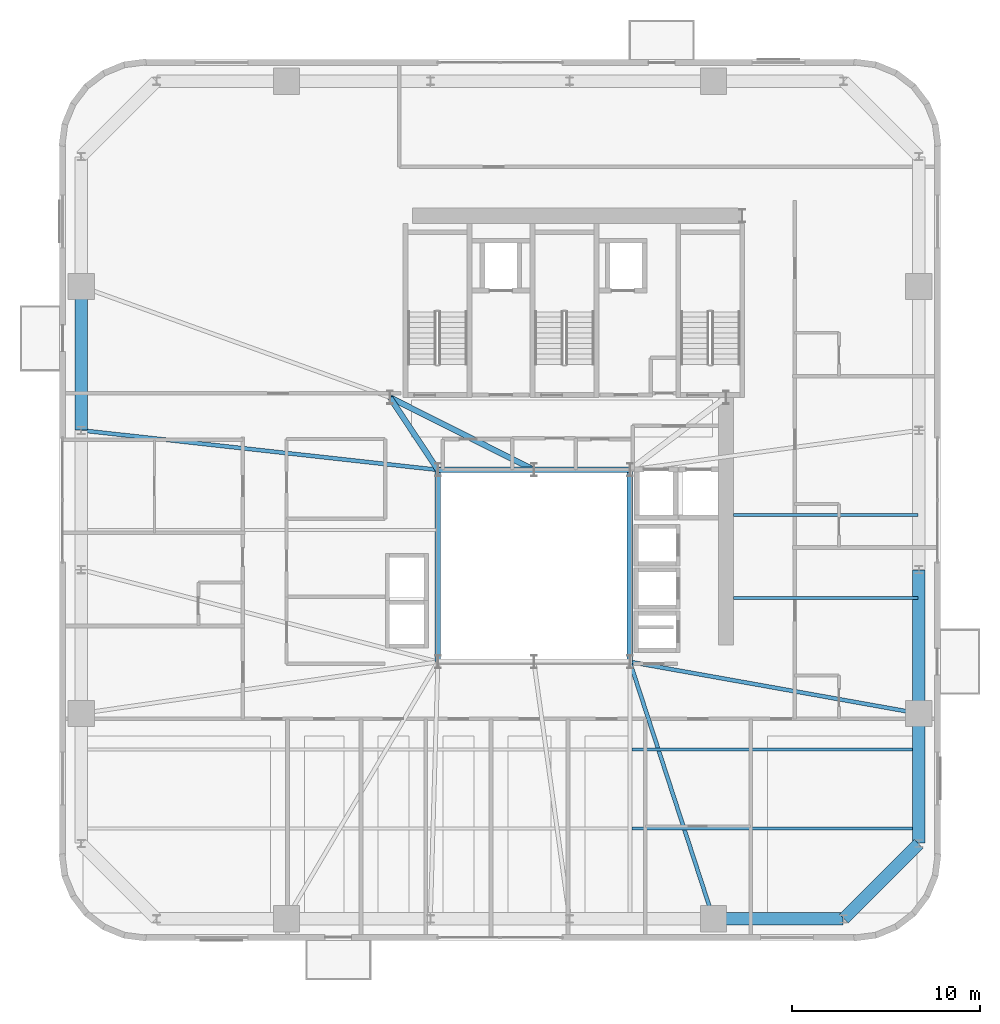
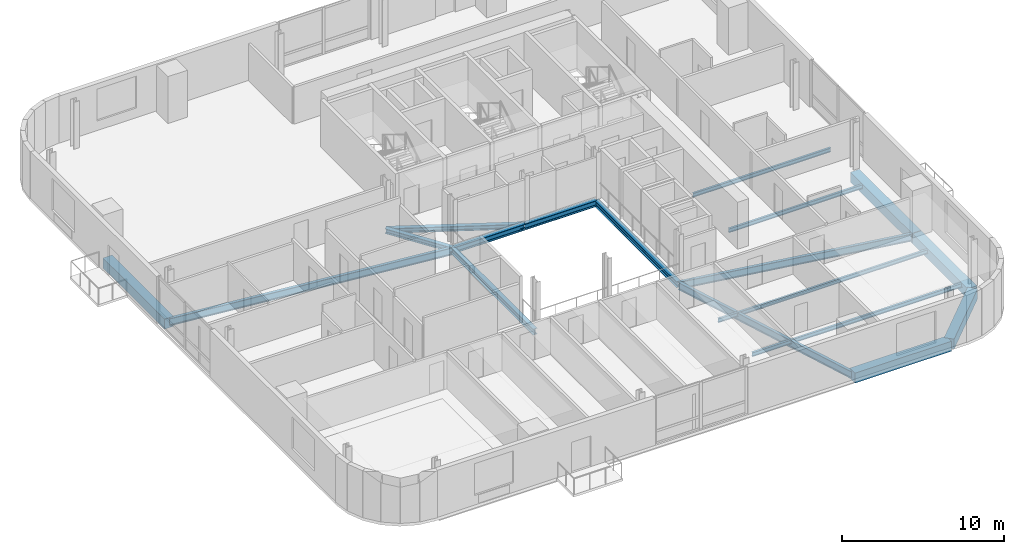
# One storey, part 4 of 17: 18 beams.
"""IFC4 building model written with IfcOpenShell, lengths in metres."""

from ifc_helpers import new_model, si_unit, direction, frame, origin, origin_2d, place, context, subcontext, project, spatial, rectangle, i_section, extrude, source, transform, mapped, material, material_profile, profile_set, type_object, element, save


model = new_model("IFC4")

# Units and contexts
model_context = context("Model", 3, precision=1e-05, world=origin(), true_north=direction((0.0, 1.0)))
body_context = subcontext(model_context, "Body", "Model", "MODEL_VIEW")
ifc_project = project(units=[si_unit("LENGTHUNIT", "METRE"), si_unit("AREAUNIT", "SQUARE_METRE"), si_unit("VOLUMEUNIT", "CUBIC_METRE"), si_unit("PLANEANGLEUNIT", "RADIAN"), si_unit("MASSUNIT", "GRAM", prefix="KILO")], contexts=[model_context])

# Site, building, storey
site_placement = place(None, origin())
site = spatial("IfcSite", under=ifc_project, at=site_placement, CompositionType="ELEMENT")
building_placement = place(site_placement, origin())
building = spatial("IfcBuilding", under=site, at=building_placement, Name="Vardaveli Station Tower", CompositionType="ELEMENT")
storey_placement = place(building_placement, frame((0.0, 0.0, 218.550048828125)))
storey = spatial("IfcBuildingStorey", under=building, at=storey_placement, Name="L56", CompositionType="ELEMENT", Elevation=218.550048828125)

# Beams
ifc_material_1 = material(Name="Structural steel S355J2", Category="steel")
ifc_material_profile_1 = material_profile(ifc_material_1, i_section(OverallWidth=0.300048828125, OverallDepth=0.449951171875, WebThickness=0.013916015625, FlangeThickness=0.02587890625, FilletRadius=0.027099609375, at=origin_2d()), Name="HEB 450")
ifc_profile_set_1 = profile_set([ifc_material_profile_1], Name="Structural steel S355J2")
beam_type_1 = type_object("IfcBeamType", Name="BM-HEB450", PredefinedType="BEAM", material=ifc_profile_set_1)
shared_shape_1 = source(origin(), body_context, "Body", "SweptSolid", [
    extrude(i_section(OverallWidth=0.300048828125, OverallDepth=0.449951171875, WebThickness=0.013916015625, FlangeThickness=0.02587890625, FilletRadius=0.027099609375, at=origin_2d()), origin(), (0.0, 0.0, 1.0), 5.06005859375),
])
beam_1_placement = place(storey_placement, frame((36.280029296875, 26.800048828125, -0.445068359375), z_axis=(-1.0, 0.0, 0.0), x_axis=(0.0, -1.0, 0.0)))
element("IfcBeam", 1, at=beam_1_placement, inside=storey, type_object=beam_type_1, Name="ABM-L56-05", PredefinedType="BEAM", context=body_context, shape_type="MappedRepresentation", body=[
    mapped(shared_shape_1, transform((0.0, 0.0, 0.0), scale=1.0)),
])
shared_shape_2 = source(origin(), body_context, "Body", "SweptSolid", [
    extrude(i_section(OverallWidth=0.300048828125, OverallDepth=0.449951171875, WebThickness=0.013916015625, FlangeThickness=0.02587890625, FilletRadius=0.027099609375, at=origin_2d()), origin(), (0.0, 0.0, 1.0), 5.059814453125),
])
beam_2_placement = place(storey_placement, frame((41.3798828125, 26.800048828125, -0.445068359375), z_axis=(-1.0, 0.0, 0.0), x_axis=(0.0, -1.0, 0.0)))
element("IfcBeam", 2, at=beam_2_placement, inside=storey, type_object=beam_type_1, Name="ABM-L56-04", PredefinedType="BEAM", context=body_context, shape_type="MappedRepresentation", body=[
    mapped(shared_shape_2, transform((0.0, 0.0, 0.0), scale=1.0)),
])
shared_shape_3 = source(origin(), body_context, "Body", "SweptSolid", [
    extrude(i_section(OverallWidth=0.300048828125, OverallDepth=0.449951171875, WebThickness=0.013916015625, FlangeThickness=0.02587890625, FilletRadius=0.027099609375, at=origin_2d()), origin(), (0.0, 0.0, 1.0), 10.159912109375),
])
for number, where, z_axis, x_axis, name in (
    (3, (41.39990234375, 16.6201171875, -0.445068359375), (0.0, 1.0, 0.0), (-1.0, 0.0, 0.0), "ABM-L56-03"),
    (4, (31.199951171875, 26.780029296875, -0.445068359375), (0.0, -1.0, 0.0), (1.0, 0.0, 0.0), "ABM-L56-06"),
):
    element("IfcBeam", number, at=place(storey_placement, frame(where, z_axis=z_axis, x_axis=x_axis)), inside=storey, type_object=beam_type_1, Name=name, PredefinedType="BEAM", context=body_context, shape_type="MappedRepresentation", body=[
        mapped(shared_shape_3, transform((0.0, 0.0, 0.0), scale=1.0)),
    ])
ifc_material_profile_2 = material_profile(ifc_material_1, i_section(OverallWidth=0.300048828125, OverallDepth=0.360107421875, WebThickness=0.012451171875, FlangeThickness=0.0224609375, FilletRadius=0.027099609375, at=origin_2d()), Name="HEB 360")
ifc_profile_set_2 = profile_set([ifc_material_profile_2], Name="Structural steel S355J2")
beam_type_2 = type_object("IfcBeamType", Name="BM-HEB360", PredefinedType="BEAM", material=ifc_profile_set_2)
shared_shape_4 = source(origin(), body_context, "Body", "SweptSolid", [
    extrude(i_section(OverallWidth=0.300048828125, OverallDepth=0.360107421875, WebThickness=0.012451171875, FlangeThickness=0.0224609375, FilletRadius=0.027099609375, at=origin_2d()), origin(), (0.0, 0.0, 1.0), 4.577880859375),
])
beam_3_placement = place(storey_placement, frame((31.18896484375, 26.816650390625, -0.400146484375), z_axis=(-0.55218702139, 0.833720272879, 0.0), x_axis=(-0.833720272879, -0.55218702139, 0.0)))
element("IfcBeam", 5, at=beam_3_placement, inside=storey, type_object=beam_type_2, Name="CBM-L56-01", PredefinedType="BEAM", context=body_context, shape_type="MappedRepresentation", body=[
    mapped(shared_shape_4, transform((0.0, 0.0, 0.0), scale=1.0)),
])
shared_shape_5 = source(origin(), body_context, "Body", "SweptSolid", [
    extrude(i_section(OverallWidth=0.300048828125, OverallDepth=0.360107421875, WebThickness=0.012451171875, FlangeThickness=0.0224609375, FilletRadius=0.027099609375, at=origin_2d()), origin(), (0.0, 0.0, 1.0), 8.524169921875),
])
beam_4_placement = place(storey_placement, frame((28.66796875, 30.64111328125, -0.400146484375), z_axis=(0.893255584708, -0.449549174605, 0.0), x_axis=(0.449549174605, 0.893255584708, 0.0)))
element("IfcBeam", 6, at=beam_4_placement, inside=storey, type_object=beam_type_2, Name="CBM-L56-03", PredefinedType="BEAM", context=body_context, shape_type="MappedRepresentation", body=[
    mapped(shared_shape_5, transform((0.0, 0.0, 0.0), scale=1.0)),
])
ifc_material_2 = material(Name="Precast concrete C45/55", Category="concrete")
ifc_material_profile_3 = material_profile(ifc_material_2, rectangle(XDim=0.64990234375, YDim=0.75, at=origin_2d()), Name="LPB 650x750")
ifc_profile_set_3 = profile_set([ifc_material_profile_3], Name="Precast concrete C45/55")
beam_type_3 = type_object("IfcBeamType", Name="BM-LPB-750", PredefinedType="BEAM", material=ifc_profile_set_3)
shared_shape_6 = source(origin(), body_context, "Body", "SweptSolid", [
    extrude(rectangle(XDim=0.64990234375, YDim=0.75, at=origin_2d()), origin(), (0.0, 0.0, 1.0), 7.60009765625),
])
for number, where, z_axis, x_axis, name in (
    (7, (56.75, 13.8798828125, -0.594970703125), (0.0, 1.0, 0.0), (-1.0, 0.0, 0.0), "RBM-L56-07"),
    (8, (12.25, 36.52001953125, -0.594970703125), (0.0, -1.0, 0.0), (1.0, 0.0, 0.0), "RBM-L56-19"),
):
    element("IfcBeam", number, at=place(storey_placement, frame(where, z_axis=z_axis, x_axis=x_axis)), inside=storey, type_object=beam_type_3, Name=name, PredefinedType="BEAM", context=body_context, shape_type="MappedRepresentation", body=[
        mapped(shared_shape_6, transform((0.0, 0.0, 0.0), scale=1.0)),
    ])
shared_shape_7 = source(origin(), body_context, "Body", "SweptSolid", [
    extrude(rectangle(XDim=0.64990234375, YDim=0.75, at=origin_2d()), origin(), (0.0, 0.0, 1.0), 6.869873046875),
])
beam_5_placement = place(storey_placement, frame((45.860107421875, 2.949951171875, -0.594970703125), z_axis=(1.0, 0.0, 0.0), x_axis=(0.0, 1.0, 0.0)))
element("IfcBeam", 9, at=beam_5_placement, inside=storey, type_object=beam_type_3, Name="RBM-L56-04", PredefinedType="BEAM", context=body_context, shape_type="MappedRepresentation", body=[
    mapped(shared_shape_7, transform((0.0, 0.0, 0.0), scale=1.0)),
])
shared_shape_8 = source(origin(), body_context, "Body", "SweptSolid", [
    extrude(rectangle(XDim=0.64990234375, YDim=0.75, at=origin_2d()), origin(), (0.0, 0.0, 1.0), 5.61669921875),
])
beam_6_placement = place(storey_placement, frame((52.76416015625, 2.964111328125, -0.594970703125), z_axis=(0.707106781187, 0.707106781187, 0.0), x_axis=(-0.707106781187, 0.707106781187, 0.0)))
element("IfcBeam", 10, at=beam_6_placement, inside=storey, type_object=beam_type_3, Name="RBM-L56-05", PredefinedType="BEAM", context=body_context, shape_type="MappedRepresentation", body=[
    mapped(shared_shape_8, transform((0.0, 0.0, 0.0), scale=1.0)),
])
shared_shape_9 = source(origin(), body_context, "Body", "SweptSolid", [
    extrude(rectangle(XDim=0.64990234375, YDim=0.75, at=origin_2d()), origin(), (0.0, 0.0, 1.0), 6.8701171875),
])
beam_7_placement = place(storey_placement, frame((56.75, 6.969970703125, -0.594970703125), z_axis=(0.0, 1.0, 0.0), x_axis=(-1.0, 0.0, 0.0)))
element("IfcBeam", 11, at=beam_7_placement, inside=storey, type_object=beam_type_3, Name="RBM-L56-06", PredefinedType="BEAM", context=body_context, shape_type="MappedRepresentation", body=[
    mapped(shared_shape_9, transform((0.0, 0.0, 0.0), scale=1.0)),
])
ifc_material_profile_4 = material_profile(ifc_material_1, i_section(OverallWidth=0.2099609375, OverallDepth=0.550048828125, WebThickness=0.010986328125, FlangeThickness=0.01708984375, FilletRadius=0.02392578125, at=origin_2d()), Name="IPE 550")
ifc_profile_set_4 = profile_set([ifc_material_profile_4], Name="Structural steel S355J2")
beam_type_4 = type_object("IfcBeamType", Name="BM-IPE550", PredefinedType="BEAM", material=ifc_profile_set_4)
shared_shape_10 = source(origin(), body_context, "Body", "SweptSolid", [
    extrude(i_section(OverallWidth=0.2099609375, OverallDepth=0.550048828125, WebThickness=0.010986328125, FlangeThickness=0.01708984375, FilletRadius=0.02392578125, at=origin_2d()), origin(), (0.0, 0.0, 1.0), 14.31396484375),
])
beam_8_placement = place(storey_placement, frame((45.833740234375, 2.968994140625, -0.4951171875), z_axis=(-0.309311678023, 0.950960717295, 0.0), x_axis=(-0.950960717295, -0.309311678023, 0.0)))
element("IfcBeam", 12, at=beam_8_placement, inside=storey, type_object=beam_type_4, Name="GBM-L56-04", PredefinedType="BEAM", context=body_context, shape_type="MappedRepresentation", body=[
    mapped(shared_shape_10, transform((0.0, 0.0, 0.0), scale=1.0)),
])
shared_shape_11 = source(origin(), body_context, "Body", "SweptSolid", [
    extrude(i_section(OverallWidth=0.2099609375, OverallDepth=0.550048828125, WebThickness=0.010986328125, FlangeThickness=0.01708984375, FilletRadius=0.02392578125, at=origin_2d()), origin(), (0.0, 0.0, 1.0), 15.552490234375),
])
beam_9_placement = place(storey_placement, frame((56.730224609375, 13.863525390625, -0.4951171875), z_axis=(-0.984439991578, 0.1757210943, 0.0), x_axis=(-0.1757210943, -0.984439991578, 0.0)))
element("IfcBeam", 13, at=beam_9_placement, inside=storey, type_object=beam_type_4, Name="GBM-L56-05", PredefinedType="BEAM", context=body_context, shape_type="MappedRepresentation", body=[
    mapped(shared_shape_11, transform((0.0, 0.0, 0.0), scale=1.0)),
])
shared_shape_12 = source(origin(), body_context, "Body", "SweptSolid", [
    extrude(i_section(OverallWidth=0.2099609375, OverallDepth=0.550048828125, WebThickness=0.010986328125, FlangeThickness=0.01708984375, FilletRadius=0.02392578125, at=origin_2d()), origin(), (0.0, 0.0, 1.0), 19.026123046875),
])
beam_10_placement = place(storey_placement, frame((12.269775390625, 28.897705078125, -0.4951171875), z_axis=(0.993916552721, -0.110135762707, 0.0), x_axis=(0.110135762707, 0.993916552721, 0.0)))
element("IfcBeam", 14, at=beam_10_placement, inside=storey, type_object=beam_type_4, Name="GBM-L56-08", PredefinedType="BEAM", context=body_context, shape_type="MappedRepresentation", body=[
    mapped(shared_shape_12, transform((0.0, 0.0, 0.0), scale=1.0)),
])
ifc_material_profile_5 = material_profile(ifc_material_1, i_section(OverallWidth=0.14990234375, OverallDepth=0.300048828125, WebThickness=0.007080078125, FlangeThickness=0.0107421875, FilletRadius=0.014892578125, at=origin_2d()), Name="IPE 300")
ifc_profile_set_5 = profile_set([ifc_material_profile_5], Name="Structural steel S355J2")
beam_type_5 = type_object("IfcBeamType", Name="BM-IPE300", PredefinedType="JOIST", material=ifc_profile_set_5)
shared_shape_13 = source(origin(), body_context, "Body", "SweptSolid", [
    extrude(i_section(OverallWidth=0.14990234375, OverallDepth=0.300048828125, WebThickness=0.007080078125, FlangeThickness=0.0107421875, FilletRadius=0.014892578125, at=origin_2d()), origin(), (0.0, 0.0, 1.0), 15.197998046875),
])
for number, where, z_axis, x_axis, name in (
    (15, (41.511962890625, 7.75, -0.3701171875), (1.0, 0.0, 0.0), (0.0, 1.0, 0.0), "SJ-L56-S02"),
    (16, (41.511962890625, 11.949951171875, -0.3701171875), (1.0, 0.0, 0.0), (0.0, 1.0, 0.0), "SJ-L56-S04"),
):
    element("IfcBeam", number, at=place(storey_placement, frame(where, z_axis=z_axis, x_axis=x_axis)), inside=storey, type_object=beam_type_5, Name=name, PredefinedType="JOIST", context=body_context, shape_type="MappedRepresentation", body=[
        mapped(shared_shape_13, transform((0.0, 0.0, 0.0), scale=1.0)),
    ])
shared_shape_14 = source(origin(), body_context, "Body", "SweptSolid", [
    extrude(i_section(OverallWidth=0.14990234375, OverallDepth=0.300048828125, WebThickness=0.007080078125, FlangeThickness=0.0107421875, FilletRadius=0.014892578125, at=origin_2d()), origin(), (0.0, 0.0, 1.0), 9.804931640625),
])
for number, where, z_axis, x_axis, name in (
    (17, (46.905029296875, 20.0, -0.3701171875), (1.0, 0.0, 0.0), (0.0, 1.0, 0.0), "SJ-L56-E07"),
    (18, (46.905029296875, 24.39990234375, -0.3701171875), (1.0, 0.0, 0.0), (0.0, 1.0, 0.0), "SJ-L56-E08"),
):
    element("IfcBeam", number, at=place(storey_placement, frame(where, z_axis=z_axis, x_axis=x_axis)), inside=storey, type_object=beam_type_5, Name=name, PredefinedType="JOIST", context=body_context, shape_type="MappedRepresentation", body=[
        mapped(shared_shape_14, transform((0.0, 0.0, 0.0), scale=1.0)),
    ])

save(model, "model.ifc")
